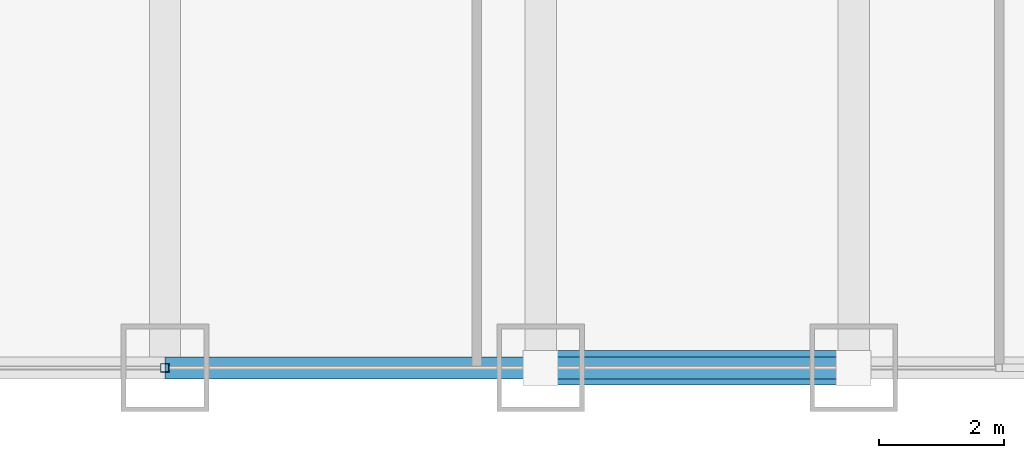
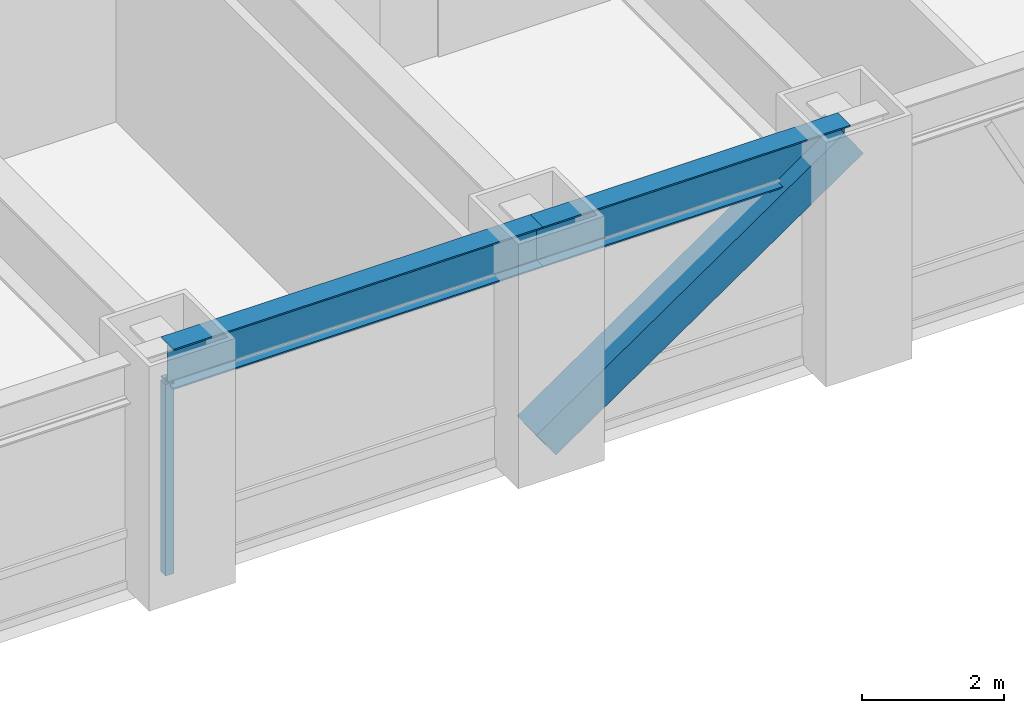
# One storey, part 4 of 29: 2 beams, 2 members, 1 element without a shape of its own.
"""IFC4 building model written with IfcOpenShell, lengths in metres."""

from ifc_helpers import new_model, si_unit, direction, frame, origin, origin_2d, place, context, subcontext, project, spatial, hollow_rectangle, i_section, extrude, source, transform, mapped, material, material_profile, profile_set, type_object, element, aggregate, save


model = new_model("IFC4")

# Units and contexts
model_context = context("Model", 3, precision=1e-05, world=origin(), true_north=direction((0.0, 1.0)))
body_context = subcontext(model_context, "Body", "Model", "MODEL_VIEW")
ifc_project = project(units=[si_unit("LENGTHUNIT", "METRE"), si_unit("AREAUNIT", "SQUARE_METRE"), si_unit("VOLUMEUNIT", "CUBIC_METRE"), si_unit("PLANEANGLEUNIT", "RADIAN"), si_unit("MASSUNIT", "GRAM", prefix="KILO")], contexts=[model_context])

# Site, building, storey
site_placement = place(None, origin())
site = spatial("IfcSite", under=ifc_project, at=site_placement, CompositionType="ELEMENT")
building_placement = place(site_placement, origin())
building = spatial("IfcBuilding", under=site, at=building_placement, Name="Khorayat Bourse Tower", CompositionType="ELEMENT")
storey_placement = place(building_placement, frame((0.0, 0.0, 87.199951171875)))
storey = spatial("IfcBuildingStorey", under=building, at=storey_placement, Name="L19", CompositionType="ELEMENT", Elevation=87.199951171875)

# Beams
ifc_material_1 = material(Name="Steel ASTM A992 Grade 50", Category="steel")
ifc_material_profile_1 = material_profile(ifc_material_1, i_section(OverallWidth=0.35498046875, OverallDepth=0.695068359375, WebThickness=0.015380859375, FlangeThickness=0.02490234375, FilletRadius=0.01806640625, at=origin_2d()), Name="W690X217")
ifc_profile_set_1 = profile_set([ifc_material_profile_1], Name="Steel ASTM A992 Grade 50")
beam_type = type_object("IfcBeamType", Name="BM-SPAN-690", PredefinedType="SPANDREL", material=ifc_profile_set_1)
shared_shape_1 = source(origin(), body_context, "Body", "SweptSolid", [
    extrude(i_section(OverallWidth=0.35498046875, OverallDepth=0.695068359375, WebThickness=0.015380859375, FlangeThickness=0.02490234375, FilletRadius=0.01806640625, at=origin_2d()), origin(), (0.0, 0.0, 1.0), 5.0),
])
beam_1_placement = place(storey_placement, frame((6.0, -32.0, 3.592529296875), z_axis=(1.0, 0.0, 0.0), x_axis=(0.0, 1.0, 0.0)))
element("IfcBeam", 1, at=beam_1_placement, inside=storey, type_object=beam_type, Name="L19 BM-SPAN-690 BM-L19-SPN-029", PredefinedType="SPANDREL", context=body_context, shape_type="MappedRepresentation", body=[
    mapped(shared_shape_1, transform((0.0, 0.0, 0.0), scale=1.0)),
])
shared_shape_2 = source(origin(), body_context, "Body", "SweptSolid", [
    extrude(i_section(OverallWidth=0.35498046875, OverallDepth=0.695068359375, WebThickness=0.015380859375, FlangeThickness=0.02490234375, FilletRadius=0.01806640625, at=origin_2d()), origin(), (0.0, 0.0, 1.0), 6.0),
])
beam_2_placement = place(storey_placement, frame((0.0, -32.0, 3.592529296875), z_axis=(1.0, 0.0, 0.0), x_axis=(0.0, 1.0, 0.0)))
element("IfcBeam", 2, at=beam_2_placement, inside=storey, type_object=beam_type, Name="L19 BM-SPAN-690 BM-L19-SPN-028", PredefinedType="SPANDREL", context=body_context, shape_type="MappedRepresentation", body=[
    mapped(shared_shape_2, transform((0.0, 0.0, 0.0), scale=1.0)),
])

# Member
ifc_material_2 = material(Name="Steel EN 10025-4 S460M", Category="steel")
ifc_material_profile_2 = material_profile(ifc_material_2, hollow_rectangle(XDim=0.550048828125, YDim=0.550048828125, WallThickness=0.031982421875, at=origin_2d()), Name="HSS 550x550x32")
ifc_profile_set_2 = profile_set([ifc_material_profile_2], Name="Steel EN 10025-4 S460M")
member_type_1 = type_object("IfcMemberType", Name="MBR-TUBE-550", PredefinedType="BRACE", material=ifc_profile_set_2)
shared_shape_3 = source(origin(), body_context, "Body", "SweptSolid", [
    extrude(hollow_rectangle(XDim=0.550048828125, YDim=0.550048828125, WallThickness=0.031982421875, at=origin_2d()), origin(), (0.0, 0.0, 1.0), 6.069091796875),
])
member_1_placement = place(storey_placement, frame((6.0, -32.0, 0.25), z_axis=(0.823854080622, 0.0, 0.566801952928), x_axis=(0.0, 1.0, 0.0)))
element("IfcMember", 3, at=member_1_placement, inside=storey, type_object=member_type_1, Name="L19 Perimeter Tube Brace 02", PredefinedType="BRACE", context=body_context, shape_type="MappedRepresentation", body=[
    mapped(shared_shape_3, transform((0.0, 0.0, 0.0), scale=1.0)),
])

# Curtain wall, member
ifc_material_3 = material(Name="Aluminium EN AW-6063 T6", Category="aluminium")
curtain_wall_type = type_object("IfcCurtainWallType", Name="CW-SYS-02", PredefinedType="NOTDEFINED", material=ifc_material_3)
curtain_wall_placement = place(storey_placement, origin())
curtain_wall = element("IfcCurtainWall", 4, at=curtain_wall_placement, inside=storey, type_object=curtain_wall_type, Name="L19 Curtain Wall CW-L19-S1", PredefinedType="NOTDEFINED")
ifc_material_profile_3 = material_profile(ifc_material_3, hollow_rectangle(XDim=0.139892578125, YDim=0.139892578125, WallThickness=0.006103515625, at=origin_2d()), Name="ALU 140x140x6")
ifc_profile_set_3 = profile_set([ifc_material_profile_3], Name="Aluminium EN AW-6063 T6")
member_type_2 = type_object("IfcMemberType", Name="CWM-VERT-140", PredefinedType="MULLION", material=ifc_profile_set_3)
shared_shape_4 = source(origin(), body_context, "Body", "SweptSolid", [
    extrude(hollow_rectangle(XDim=0.139892578125, YDim=0.139892578125, WallThickness=0.006103515625, at=origin_2d()), origin(), (0.0, 0.0, 1.0), 3.2900390625),
])
member_2_placement = place(storey_placement, frame((0.0, -32.0, 0.0), z_axis=(0.0, 0.0, 1.0), x_axis=(0.0, 1.0, 0.0)))
member_2 = element("IfcMember", 5, at=member_2_placement, type_object=member_type_2, Name="CW-L19-S1 Vertical Mullion 2", PredefinedType="MULLION", context=body_context, shape_type="MappedRepresentation", body=[
    mapped(shared_shape_4, transform((0.0, 0.0, 0.0), scale=1.0)),
])
aggregate(curtain_wall, [member_2])

save(model, "model.ifc")
